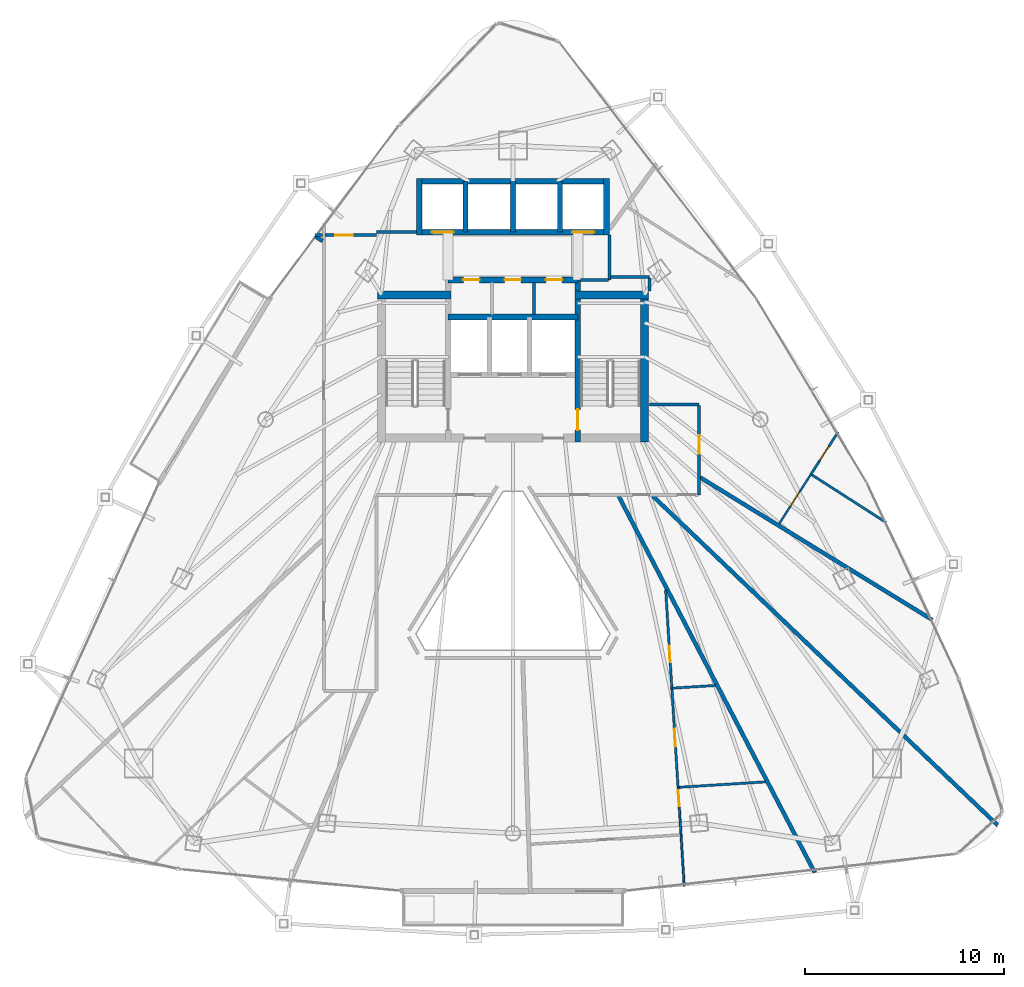
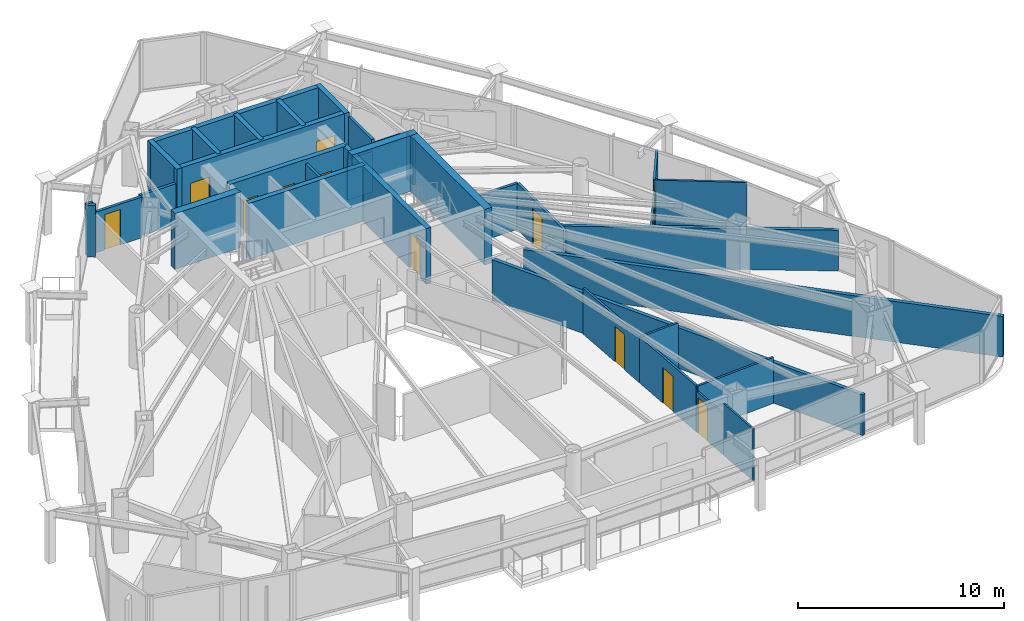
# One storey, part 25 of 29: 36 walls, 13 doors, 13 openings.
"""IFC4 building model written with IfcOpenShell, lengths in metres."""

from ifc_helpers import new_model, si_unit, direction, frame, frame_2d, origin, place, context, subcontext, project, spatial, rectangle, extrude, material, layer, layer_set, type_object, element, fill, save


model = new_model("IFC4")

# Units and contexts
model_context = context("Model", 3, precision=1e-05, world=origin(), true_north=direction((0.0, 1.0)))
body_context = subcontext(model_context, "Body", "Model", "MODEL_VIEW")
ifc_project = project(units=[si_unit("LENGTHUNIT", "METRE"), si_unit("AREAUNIT", "SQUARE_METRE"), si_unit("VOLUMEUNIT", "CUBIC_METRE"), si_unit("PLANEANGLEUNIT", "RADIAN"), si_unit("MASSUNIT", "GRAM", prefix="KILO")], contexts=[model_context])

# Site, building, storey
site_placement = place(None, origin())
site = spatial("IfcSite", under=ifc_project, at=site_placement, CompositionType="ELEMENT")
building_placement = place(site_placement, origin())
building = spatial("IfcBuilding", under=site, at=building_placement, Name="Orvanel Arch Residences", CompositionType="ELEMENT")
storey_placement = place(building_placement, frame((0.0, 0.0, 177.050048828125)))
storey = spatial("IfcBuildingStorey", under=building, at=storey_placement, Name="L50", CompositionType="ELEMENT", Elevation=177.050048828125)

# Walls
ifc_material_1 = material(Name="Concrete N50 (50 MPa)", Category="concrete")
ifc_layer_1 = layer(ifc_material_1, 0.25)
ifc_layer_set_1 = layer_set([ifc_layer_1], Name="Concrete N50 (50 MPa)")
wall_type_1 = type_object("IfcWallType", Name="SW-CORE-250", PredefinedType="SHEAR", material=ifc_layer_set_1)
for number, where, z_axis, x_axis, name in (
    (1, (30.625, 37.050048828125, 0.0), (0.0, 0.0, 1.0), (0.0, 1.0, 0.0), "L50 Passenger Lift Inter-Shaft Wall P35"),
    (2, (33.0, 37.050048828125, 0.0), (0.0, 0.0, 1.0), (0.0, 1.0, 0.0), "L50 Passenger Lift Inter-Shaft Wall P56"),
    (3, (35.375, 37.050048828125, 0.0), (0.0, 0.0, 1.0), (0.0, 1.0, 0.0), "L50 Passenger Lift Inter-Shaft Wall P64"),
):
    element("IfcWall", number, at=place(storey_placement, frame(where, z_axis=z_axis, x_axis=x_axis)), inside=storey, type_object=wall_type_1, Name=name, PredefinedType="SHEAR", context=body_context, shape_type="SweptSolid", body=[
        extrude(rectangle(XDim=2.550048828125, YDim=0.25, at=frame_2d((1.27490234375, 0.0))), origin(), (0.0, 0.0, 1.0), 3.300048828125),
    ])

# Wall, opening, door
ifc_material_2 = material(Name="Concrete S65 (65 MPa)", Category="concrete")
ifc_layer_2 = layer(ifc_material_2, 0.280029296875)
ifc_layer_set_2 = layer_set([ifc_layer_2], Name="Concrete S65 (65 MPa)")
wall_type_2 = type_object("IfcWallType", Name="SW-CORE-280", PredefinedType="SHEAR", material=ifc_layer_set_2)
wall_1_placement = place(storey_placement, frame((36.260009765625, 26.5, 0.0), z_axis=(0.0, 0.0, 1.0), x_axis=(0.0, 1.0, 0.0)))
wall_1 = element("IfcWall", 4, at=wall_1_placement, inside=storey, type_object=wall_type_2, Name="L50 East Inner Core Spine Shear Wall", PredefinedType="SHEAR", context=body_context, shape_type="SweptSolid", body=[
    extrude(rectangle(XDim=8.14990234375, YDim=0.280029296875, at=frame_2d((4.074951171875, 0.0))), origin(), (0.0, 0.0, 1.0), 3.300048828125),
])
opening_1_placement = place(wall_1_placement, frame((0.60009765625, 0.0, 0.0)))
opening_1 = element("IfcOpeningElement", 5, at=opening_1_placement, cuts=wall_1, Name="Opening DF-120", PredefinedType="OPENING", context=body_context, shape_type="SweptSolid", body=[
    extrude(rectangle(XDim=1.050048828125, YDim=2.14990234375, at=frame_2d((0.52490234375, 1.074951171875))), frame((0.0, 0.14990234375, 0.0), z_axis=(0.0, -1.0, 0.0), x_axis=(1.0, 0.0, 0.0)), (0.0, 0.0, 1.0), 0.300048828125),
])
ifc_material_3 = material(Name="Galvanised steel fire-resisting door assembly", Category="steel")
door_type_1 = type_object("IfcDoorType", Name="DR-FD120-1050", OperationType="NOTDEFINED", PredefinedType="DOOR", material=ifc_material_3)
door_1_placement = place(opening_1_placement, origin())
door_1 = element("IfcDoor", 6, at=door_1_placement, inside=storey, type_object=door_type_1, Name="DR-L50-ST2 L50 Stair 2 Fire Door", OperationType="SINGLE_SWING_RIGHT", OverallHeight=2.14990234375, OverallWidth=1.050048828125, PredefinedType="DOOR", context=body_context, shape_type="SweptSolid", body=[
    extrude(rectangle(XDim=1.050048828125, YDim=2.14990234375, at=frame_2d((0.52490234375, 1.074951171875))), frame((0.0, 0.02490234375, 0.0), z_axis=(0.0, -1.0, 0.0), x_axis=(1.0, 0.0, 0.0)), (0.0, 0.0, 1.0), 0.050048828125),
])
fill(opening_1, door_1)

# Wall
wall_2_placement = place(storey_placement, frame((29.739990234375, 32.7900390625, 0.0), z_axis=(0.0, 0.0, 1.0), x_axis=(1.0, 0.0, 0.0)))
element("IfcWall", 7, at=wall_2_placement, inside=storey, type_object=wall_type_2, Name="L50 Emergency Lift Back Core Shear Wall", PredefinedType="SHEAR", context=body_context, shape_type="SweptSolid", body=[
    extrude(rectangle(XDim=6.52001953125, YDim=0.280029296875, at=frame_2d((3.260009765625, 0.0))), origin(), (0.0, 0.0, 1.0), 3.300048828125),
])

# Wall, openings, doors
wall_3_placement = place(storey_placement, frame((29.739990234375, 34.64990234375, 0.0), z_axis=(0.0, 0.0, 1.0), x_axis=(1.0, 0.0, 0.0)))
wall_3 = element("IfcWall", 8, at=wall_3_placement, inside=storey, type_object=wall_type_2, Name="L50 Core Service Band North Shear Wall", PredefinedType="SHEAR", context=body_context, shape_type="SweptSolid", body=[
    extrude(rectangle(XDim=6.52001953125, YDim=0.280029296875, at=frame_2d((3.260009765625, 0.0))), origin(), (0.0, 0.0, 1.0), 3.300048828125),
])
opening_2_placement = place(wall_3_placement, frame((0.764892578125, 0.0, 0.0)))
opening_2 = element("IfcOpeningElement", 9, at=opening_2_placement, cuts=wall_3, Name="Opening DS-082", PredefinedType="OPENING", context=body_context, shape_type="SweptSolid", body=[
    extrude(rectangle(XDim=0.820068359375, YDim=2.10009765625, at=frame_2d((0.41015625, 1.050048828125))), frame((0.0, 0.14990234375, 0.0), z_axis=(0.0, -1.0, 0.0), x_axis=(1.0, 0.0, 0.0)), (0.0, 0.0, 1.0), 0.300048828125),
])
opening_3_placement = place(wall_3_placement, frame((2.840087890625, 0.0, 0.0)))
opening_3 = element("IfcOpeningElement", 10, at=opening_3_placement, cuts=wall_3, Name="Opening DS-082", PredefinedType="OPENING", context=body_context, shape_type="SweptSolid", body=[
    extrude(rectangle(XDim=0.820068359375, YDim=2.10009765625, at=frame_2d((0.41015625, 1.050048828125))), frame((0.0, 0.14990234375, 0.0), z_axis=(0.0, -1.0, 0.0), x_axis=(1.0, 0.0, 0.0)), (0.0, 0.0, 1.0), 0.300048828125),
])
opening_4_placement = place(wall_3_placement, frame((4.9150390625, 0.0, 0.0)))
opening_4 = element("IfcOpeningElement", 11, at=opening_4_placement, cuts=wall_3, Name="Opening DS-082", PredefinedType="OPENING", context=body_context, shape_type="SweptSolid", body=[
    extrude(rectangle(XDim=0.820068359375, YDim=2.10009765625, at=frame_2d((0.41015625, 1.050048828125))), frame((0.0, 0.14990234375, 0.0), z_axis=(0.0, -1.0, 0.0), x_axis=(1.0, 0.0, 0.0)), (0.0, 0.0, 1.0), 0.300048828125),
])
door_type_2 = type_object("IfcDoorType", Name="DR-SVC-820", OperationType="NOTDEFINED", PredefinedType="DOOR", material=ifc_material_3)
door_2_placement = place(opening_2_placement, origin())
door_2 = element("IfcDoor", 12, at=door_2_placement, inside=storey, type_object=door_type_2, Name="DR-L50-CSVC-1 L50 Housekeeping Store Door", OperationType="SINGLE_SWING_LEFT", OverallHeight=2.10009765625, OverallWidth=0.820068359375, PredefinedType="DOOR", context=body_context, shape_type="SweptSolid", body=[
    extrude(rectangle(XDim=0.820068359375, YDim=2.10009765625, at=frame_2d((0.41015625, 1.050048828125))), frame((0.0, 0.02490234375, 0.0), z_axis=(0.0, -1.0, 0.0), x_axis=(1.0, 0.0, 0.0)), (0.0, 0.0, 1.0), 0.050048828125),
])
fill(opening_2, door_2)
door_3_placement = place(opening_3_placement, origin())
door_3 = element("IfcDoor", 13, at=door_3_placement, inside=storey, type_object=door_type_2, Name="DR-L50-CSVC-2 L50 Cleaner's Store Door", OperationType="SINGLE_SWING_LEFT", OverallHeight=2.10009765625, OverallWidth=0.820068359375, PredefinedType="DOOR", context=body_context, shape_type="SweptSolid", body=[
    extrude(rectangle(XDim=0.820068359375, YDim=2.10009765625, at=frame_2d((0.41015625, 1.050048828125))), frame((0.0, 0.02490234375, 0.0), z_axis=(0.0, -1.0, 0.0), x_axis=(1.0, 0.0, 0.0)), (0.0, 0.0, 1.0), 0.050048828125),
])
fill(opening_3, door_3)
door_4_placement = place(opening_4_placement, origin())
door_4 = element("IfcDoor", 14, at=door_4_placement, inside=storey, type_object=door_type_2, Name="DR-L50-CSVC-3 L50 Comms Riser Store Door", OperationType="SINGLE_SWING_LEFT", OverallHeight=2.10009765625, OverallWidth=0.820068359375, PredefinedType="DOOR", context=body_context, shape_type="SweptSolid", body=[
    extrude(rectangle(XDim=0.820068359375, YDim=2.10009765625, at=frame_2d((0.41015625, 1.050048828125))), frame((0.0, 0.02490234375, 0.0), z_axis=(0.0, -1.0, 0.0), x_axis=(1.0, 0.0, 0.0)), (0.0, 0.0, 1.0), 0.050048828125),
])
fill(opening_4, door_4)

wall_4_placement = place(storey_placement, frame((37.840087890625, 37.050048828125, 0.0), z_axis=(0.0, 0.0, 1.0), x_axis=(-1.0, 0.0, 0.0)))
wall_4 = element("IfcWall", 15, at=wall_4_placement, inside=storey, type_object=wall_type_2, Name="L50 Passenger Lift Bank Front Shear Wall", PredefinedType="SHEAR", context=body_context, shape_type="SweptSolid", body=[
    extrude(rectangle(XDim=9.68017578125, YDim=0.280029296875, at=frame_2d((4.840087890625, 0.0))), origin(), (0.0, 0.0, 1.0), 3.300048828125),
])
opening_5_placement = place(wall_4_placement, frame((7.81494140625, 0.0, 0.0)))
opening_5 = element("IfcOpeningElement", 16, at=opening_5_placement, cuts=wall_4, Name="Opening LD-110", PredefinedType="OPENING", context=body_context, shape_type="SweptSolid", body=[
    extrude(rectangle(XDim=1.10009765625, YDim=2.199951171875, at=frame_2d((0.550048828125, 1.10009765625))), frame((0.0, 0.14990234375, 0.0), z_axis=(0.0, -1.0, 0.0), x_axis=(1.0, 0.0, 0.0)), (0.0, 0.0, 1.0), 0.300048828125),
])
opening_6_placement = place(wall_4_placement, frame((0.764892578125, 0.0, 0.0)))
opening_6 = element("IfcOpeningElement", 17, at=opening_6_placement, cuts=wall_4, Name="Opening LD-110", PredefinedType="OPENING", context=body_context, shape_type="SweptSolid", body=[
    extrude(rectangle(XDim=1.10009765625, YDim=2.199951171875, at=frame_2d((0.550048828125, 1.10009765625))), frame((0.0, 0.14990234375, 0.0), z_axis=(0.0, -1.0, 0.0), x_axis=(1.0, 0.0, 0.0)), (0.0, 0.0, 1.0), 0.300048828125),
])
door_type_3 = type_object("IfcDoorType", Name="DR-LFT-1100", OperationType="NOTDEFINED", PredefinedType="DOOR", material=ifc_material_3)
door_5_placement = place(opening_5_placement, origin())
door_5 = element("IfcDoor", 18, at=door_5_placement, inside=storey, type_object=door_type_3, Name="LD-P3-L50 L50 Passenger Lift P3 Sliding Landing Door", OperationType="DOUBLE_DOOR_SLIDING", OverallHeight=2.199951171875, OverallWidth=1.10009765625, PredefinedType="DOOR", context=body_context, shape_type="SweptSolid", body=[
    extrude(rectangle(XDim=1.10009765625, YDim=2.199951171875, at=frame_2d((0.550048828125, 1.10009765625))), frame((0.0, 0.02490234375, 0.0), z_axis=(0.0, -1.0, 0.0), x_axis=(1.0, 0.0, 0.0)), (0.0, 0.0, 1.0), 0.050048828125),
])
fill(opening_5, door_5)
door_6_placement = place(opening_6_placement, origin())
door_6 = element("IfcDoor", 19, at=door_6_placement, inside=storey, type_object=door_type_3, Name="LD-P4-L50 L50 Passenger Lift P4 Sliding Landing Door", OperationType="DOUBLE_DOOR_SLIDING", OverallHeight=2.199951171875, OverallWidth=1.10009765625, PredefinedType="DOOR", context=body_context, shape_type="SweptSolid", body=[
    extrude(rectangle(XDim=1.10009765625, YDim=2.199951171875, at=frame_2d((0.550048828125, 1.10009765625))), frame((0.0, 0.02490234375, 0.0), z_axis=(0.0, -1.0, 0.0), x_axis=(1.0, 0.0, 0.0)), (0.0, 0.0, 1.0), 0.050048828125),
])
fill(opening_6, door_6)

# Walls
wall_5_placement = place(storey_placement, frame((28.159912109375, 39.60009765625, 0.0), z_axis=(0.0, 0.0, 1.0), x_axis=(1.0, 0.0, 0.0)))
element("IfcWall", 20, at=wall_5_placement, inside=storey, type_object=wall_type_2, Name="L50 Passenger Lift Bank North Shear Wall", PredefinedType="SHEAR", context=body_context, shape_type="SweptSolid", body=[
    extrude(rectangle(XDim=9.68017578125, YDim=0.280029296875, at=frame_2d((4.840087890625, 0.0))), origin(), (0.0, 0.0, 1.0), 3.300048828125),
])
for number, where, z_axis, x_axis, name in (
    (21, (28.300048828125, 36.909912109375, 0.0), (0.0, 0.0, 1.0), (0.0, 1.0, 0.0), "L50 Passenger Lift Bank West Shear Wall"),
    (22, (37.699951171875, 36.909912109375, 0.0), (0.0, 0.0, 1.0), (0.0, 1.0, 0.0), "L50 Passenger Lift Bank East Shear Wall"),
):
    element("IfcWall", number, at=place(storey_placement, frame(where, z_axis=z_axis, x_axis=x_axis)), inside=storey, type_object=wall_type_2, Name=name, PredefinedType="SHEAR", context=body_context, shape_type="SweptSolid", body=[
        extrude(rectangle(XDim=2.830078125, YDim=0.280029296875, at=frame_2d((1.4150390625, 0.0))), origin(), (0.0, 0.0, 1.0), 3.300048828125),
    ])
ifc_layer_3 = layer(ifc_material_2, 0.39990234375)
ifc_layer_set_3 = layer_set([ifc_layer_3], Name="Concrete S65 (65 MPa)")
wall_type_3 = type_object("IfcWallType", Name="SW-CORE-400", PredefinedType="SHEAR", material=ifc_layer_set_3)
wall_6_placement = place(storey_placement, frame((26.199951171875, 33.89990234375, 0.0), z_axis=(0.0, 0.0, 1.0), x_axis=(1.0, 0.0, 0.0)))
element("IfcWall", 23, at=wall_6_placement, inside=storey, type_object=wall_type_3, Name="L50 West Stair North Shear Wall", PredefinedType="SHEAR", context=body_context, shape_type="SweptSolid", body=[
    extrude(rectangle(XDim=3.679931640625, YDim=0.39990234375, at=frame_2d((1.83984375, 0.0))), origin(), (0.0, 0.0, 1.0), 3.300048828125),
])
wall_7_placement = place(storey_placement, frame((39.60009765625, 26.5, 0.0), z_axis=(0.0, 0.0, 1.0), x_axis=(0.0, 1.0, 0.0)))
element("IfcWall", 24, at=wall_7_placement, inside=storey, type_object=wall_type_3, Name="L50 East Stair Shear Wall", PredefinedType="SHEAR", context=body_context, shape_type="SweptSolid", body=[
    extrude(rectangle(XDim=7.60009765625, YDim=0.39990234375, at=frame_2d((3.800048828125, 0.0))), origin(), (0.0, 0.0, 1.0), 3.300048828125),
])
wall_8_placement = place(storey_placement, frame((36.1201171875, 33.89990234375, 0.0), z_axis=(0.0, 0.0, 1.0), x_axis=(1.0, 0.0, 0.0)))
element("IfcWall", 25, at=wall_8_placement, inside=storey, type_object=wall_type_3, Name="L50 East Stair North Shear Wall", PredefinedType="SHEAR", context=body_context, shape_type="SweptSolid", body=[
    extrude(rectangle(XDim=3.679931640625, YDim=0.39990234375, at=frame_2d((1.83984375, 0.0))), origin(), (0.0, 0.0, 1.0), 3.300048828125),
])
ifc_material_4 = material(Name="Fire-rated plasterboard lined steel stud partition", Category="steel")
ifc_layer_4 = layer(ifc_material_4, 0.14990234375)
ifc_layer_set_4 = layer_set([ifc_layer_4], Name="Fire-rated plasterboard lined steel stud partition")
wall_type_4 = type_object("IfcWallType", Name="W-COR-150", PredefinedType="PARTITIONING", material=ifc_layer_set_4)
wall_9_placement = place(storey_placement, frame((37.85009765625, 34.64990234375, 0.0), z_axis=(0.0, 0.0, 1.0), x_axis=(0.0, 1.0, 0.0)))
element("IfcWall", 26, at=wall_9_placement, inside=storey, type_object=wall_type_4, Name="L50 Passenger Lift Lobby East Closure Wall", PredefinedType="PARTITIONING", context=body_context, shape_type="SweptSolid", body=[
    extrude(rectangle(XDim=2.260009765625, YDim=0.14990234375, at=frame_2d((1.1298828125, 0.0))), origin(), (0.0, 0.0, 1.0), 3.06005859375),
])
wall_10_placement = place(storey_placement, frame((36.385009765625, 34.64990234375, 0.0), z_axis=(0.0, 0.0, 1.0), x_axis=(1.0, 0.0, 0.0)))
element("IfcWall", 27, at=wall_10_placement, inside=storey, type_object=wall_type_4, Name="L50 Passenger Lift Lobby South-East Wall", PredefinedType="PARTITIONING", context=body_context, shape_type="SweptSolid", body=[
    extrude(rectangle(XDim=1.405029296875, YDim=0.14990234375, at=frame_2d((0.70263671875, 0.0))), origin(), (0.0, 0.0, 1.0), 2.425048828125),
])
wall_11_placement = place(storey_placement, frame((23.06298828125, 36.89990234375, 0.0), z_axis=(0.0, 0.0, 1.0), x_axis=(1.0, 0.0, 0.0)))
element("IfcWall", 28, at=wall_11_placement, inside=storey, type_object=wall_type_4, Name="L50 Corridor Fire-Rated Partition", PredefinedType="PARTITIONING", context=body_context, shape_type="SweptSolid", body=[
    extrude(rectangle(XDim=0.376953125, YDim=0.14990234375, at=frame_2d((0.1884765625, 0.0))), origin(), (0.0, 0.0, 1.0), 3.06005859375),
])

# Wall, opening, door
wall_12_placement = place(storey_placement, frame((23.56005859375, 36.89990234375, 0.0), z_axis=(0.0, 0.0, 1.0), x_axis=(1.0, 0.0, 0.0)))
wall_12 = element("IfcWall", 29, at=wall_12_placement, inside=storey, type_object=wall_type_4, Name="L50 Corridor Fire-Rated Partition", PredefinedType="PARTITIONING", context=body_context, shape_type="SweptSolid", body=[
    extrude(rectangle(XDim=2.58984375, YDim=0.14990234375, at=frame_2d((1.294921875, 0.0))), origin(), (0.0, 0.0, 1.0), 2.412841796875),
])
opening_7_placement = place(wall_12_placement, frame((0.514892578125, 0.0, 0.0)))
opening_7 = element("IfcOpeningElement", 30, at=opening_7_placement, cuts=wall_12, Name="Opening DI-088", PredefinedType="OPENING", context=body_context, shape_type="SweptSolid", body=[
    extrude(rectangle(XDim=0.8798828125, YDim=2.10009765625, at=frame_2d((0.43994140625, 1.050048828125))), frame((0.0, 0.0849609375, 0.0), z_axis=(0.0, -1.0, 0.0), x_axis=(1.0, 0.0, 0.0)), (0.0, 0.0, 1.0), 0.169921875),
])
ifc_material_5 = material(Name="Solid-core European oak veneer fire door leaf", Category="wood")
door_type_4 = type_object("IfcDoorType", Name="DR-INT-880", OperationType="NOTDEFINED", PredefinedType="DOOR", material=ifc_material_5)
door_7_placement = place(opening_7_placement, origin())
door_7 = element("IfcDoor", 31, at=door_7_placement, inside=storey, type_object=door_type_4, Name="DR-L50-SHRD-FB7 L50 Co-Working Study Office G Door", OperationType="SINGLE_SWING_LEFT", OverallHeight=2.10009765625, OverallWidth=0.8798828125, PredefinedType="DOOR", context=body_context, shape_type="SweptSolid", body=[
    extrude(rectangle(XDim=0.8798828125, YDim=2.10009765625, at=frame_2d((0.43994140625, 1.050048828125))), frame((0.0, 0.02490234375, 0.0), z_axis=(0.0, -1.0, 0.0), x_axis=(1.0, 0.0, 0.0)), (0.0, 0.0, 1.0), 0.050048828125),
])
fill(opening_7, door_7)

# Wall
wall_13_placement = place(storey_placement, frame((39.85009765625, 28.39990234375, 0.0), z_axis=(0.0, 0.0, 1.0), x_axis=(1.0, 0.0, 0.0)))
element("IfcWall", 32, at=wall_13_placement, inside=storey, type_object=wall_type_4, Name="L50 Corridor Fire-Rated Partition", PredefinedType="PARTITIONING", context=body_context, shape_type="SweptSolid", body=[
    extrude(rectangle(XDim=2.5, YDim=0.14990234375, at=frame_2d((1.25, 0.0))), origin(), (0.0, 0.0, 1.0), 2.720947265625),
])

# Wall, opening, door
wall_14_placement = place(storey_placement, frame((42.35009765625, 28.340087890625, 0.0), z_axis=(0.0, 0.0, 1.0), x_axis=(0.0, -1.0, 0.0)))
wall_14 = element("IfcWall", 33, at=wall_14_placement, inside=storey, type_object=wall_type_4, Name="L50 Corridor Fire-Rated Partition", PredefinedType="PARTITIONING", context=body_context, shape_type="SweptSolid", body=[
    extrude(rectangle(XDim=4.489990234375, YDim=0.14990234375, at=frame_2d((2.2451171875, 0.0))), origin(), (0.0, 0.0, 1.0), 2.720947265625),
])
opening_8_placement = place(wall_14_placement, frame((1.4970703125, 0.0, 0.0)))
opening_8 = element("IfcOpeningElement", 34, at=opening_8_placement, cuts=wall_14, Name="Opening DA-092", PredefinedType="OPENING", context=body_context, shape_type="SweptSolid", body=[
    extrude(rectangle(XDim=0.919921875, YDim=2.14990234375, at=frame_2d((0.4599609375, 1.074951171875))), frame((0.0, 0.0849609375, 0.0), z_axis=(0.0, -1.0, 0.0), x_axis=(1.0, 0.0, 0.0)), (0.0, 0.0, 1.0), 0.169921875),
])
door_type_5 = type_object("IfcDoorType", Name="DR-APT-920", OperationType="NOTDEFINED", PredefinedType="DOOR", material=ifc_material_5)
door_8_placement = place(opening_8_placement, origin())
door_8 = element("IfcDoor", 35, at=door_8_placement, inside=storey, type_object=door_type_5, Name="DR-L50-D-ENT L50 Flat D Entrance Door", OperationType="SINGLE_SWING_LEFT", OverallHeight=2.14990234375, OverallWidth=0.919921875, PredefinedType="DOOR", context=body_context, shape_type="SweptSolid", body=[
    extrude(rectangle(XDim=0.919921875, YDim=2.14990234375, at=frame_2d((0.4599609375, 1.074951171875))), frame((0.0, 0.02490234375, 0.0), z_axis=(0.0, -1.0, 0.0), x_axis=(1.0, 0.0, 0.0)), (0.0, 0.0, 1.0), 0.050048828125),
])
fill(opening_8, door_8)

# Walls
wall_15_placement = place(storey_placement, frame((26.14990234375, 37.050048828125, 0.0), z_axis=(0.0, 0.0, 1.0), x_axis=(1.0, 0.0, 0.0)))
element("IfcWall", 36, at=wall_15_placement, inside=storey, type_object=wall_type_4, Name="L50 Core Perimeter Partition", PredefinedType="PARTITIONING", context=body_context, shape_type="SweptSolid", body=[
    extrude(rectangle(XDim=2.0, YDim=0.14990234375, at=frame_2d((1.0, 0.0))), origin(), (0.0, 0.0, 1.0), 2.412841796875),
])
wall_16_placement = place(storey_placement, frame((37.909912109375, 34.800048828125, 0.0), z_axis=(0.0, 0.0, 1.0), x_axis=(1.0, 0.0, 0.0)))
element("IfcWall", 37, at=wall_16_placement, inside=storey, type_object=wall_type_4, Name="L50 Core Perimeter Partition", PredefinedType="PARTITIONING", context=body_context, shape_type="SweptSolid", body=[
    extrude(rectangle(XDim=1.940185546875, YDim=0.14990234375, at=frame_2d((0.97021484375, 0.0))), origin(), (0.0, 0.0, 1.0), 2.720947265625),
])
wall_17_placement = place(storey_placement, frame((39.85009765625, 34.739990234375, 0.0), z_axis=(0.0, 0.0, 1.0), x_axis=(0.0, -1.0, 0.0)))
element("IfcWall", 38, at=wall_17_placement, inside=storey, type_object=wall_type_4, Name="L50 Core Perimeter Partition", PredefinedType="PARTITIONING", context=body_context, shape_type="SweptSolid", body=[
    extrude(rectangle(XDim=0.639892578125, YDim=0.14990234375, at=frame_2d((0.31982421875, 0.0))), origin(), (0.0, 0.0, 1.0), 2.720947265625),
])
ifc_layer_5 = layer(ifc_material_4, 0.199951171875)
ifc_layer_set_5 = layer_set([ifc_layer_5], Name="Fire-rated plasterboard lined steel stud partition")
wall_type_5 = type_object("IfcWallType", Name="W-DEM-200", PredefinedType="PARTITIONING", material=ifc_layer_set_5)
wall_18_placement = place(storey_placement, frame((38.31103515625, 23.7900390625, 0.0), z_axis=(0.0, 0.0, 1.0), x_axis=(0.461923729454, -0.886919651472, 0.0)))
element("IfcWall", 39, at=wall_18_placement, inside=storey, type_object=wall_type_5, Name="L50 Inter-Tenancy Acoustic Demising Wall", PredefinedType="PARTITIONING", context=body_context, shape_type="SweptSolid", body=[
    extrude(rectangle(XDim=21.334716796875, YDim=0.199951171875, at=frame_2d((10.66748046875, 0.0))), origin(), (0.0, 0.0, 1.0), 2.412841796875),
])
wall_19_placement = place(storey_placement, frame((23.069091796875, 36.840087890625, 0.0), z_axis=(0.0, 0.0, 1.0), x_axis=(0.842563414195, -0.538597152852, 0.0)))
element("IfcWall", 40, at=wall_19_placement, inside=storey, type_object=wall_type_5, Name="L50 Inter-Tenancy Acoustic Demising Wall", PredefinedType="PARTITIONING", context=body_context, shape_type="SweptSolid", body=[
    extrude(rectangle(XDim=0.440185546875, YDim=0.199951171875, at=frame_2d((0.22021484375, 0.0))), origin(), (0.0, 0.0, 1.0), 3.06005859375),
])
wall_20_placement = place(storey_placement, frame((54.0791015625, 17.56689453125, 0.0), z_axis=(0.0, 0.0, 1.0), x_axis=(-0.852338446262, 0.5229906051, 0.0)))
element("IfcWall", 41, at=wall_20_placement, inside=storey, type_object=wall_type_5, Name="L50 Inter-Tenancy Acoustic Demising Wall", PredefinedType="PARTITIONING", context=body_context, shape_type="SweptSolid", body=[
    extrude(rectangle(XDim=13.690673828125, YDim=0.199951171875, at=frame_2d((6.84521484375, 0.0))), origin(), (0.0, 0.0, 1.0), 2.412841796875),
])
wall_21_placement = place(storey_placement, frame((40.030029296875, 23.7900390625, 0.0), z_axis=(0.0, 0.0, 1.0), x_axis=(0.723360866179, -0.690470171174, 0.0)))
element("IfcWall", 42, at=wall_21_placement, inside=storey, type_object=wall_type_5, Name="L50 Inter-Tenancy Acoustic Demising Wall", PredefinedType="PARTITIONING", context=body_context, shape_type="SweptSolid", body=[
    extrude(rectangle(XDim=23.953369140625, YDim=0.199951171875, at=frame_2d((11.9765625, 0.0))), origin(), (0.0, 0.0, 1.0), 2.412841796875),
])

# Wall, opening, door
ifc_material_6 = material(Name="Acoustic plasterboard lined twin-stud partition", Category="gypsum")
ifc_layer_6 = layer(ifc_material_6, 0.10009765625)
ifc_layer_set_6 = layer_set([ifc_layer_6], Name="Acoustic plasterboard lined twin-stud partition")
wall_type_6 = type_object("IfcWallType", Name="W-INT-100", PredefinedType="PARTITIONING", material=ifc_layer_set_6)
wall_22_placement = place(storey_placement, frame((41.2958984375, 9.156982421875, 0.0), z_axis=(0.0, 0.0, 1.0), x_axis=(0.062778653683, -0.998027474893, 0.0)))
wall_22 = element("IfcWall", 43, at=wall_22_placement, inside=storey, type_object=wall_type_6, Name="L50 Studio A Internal Partition", PredefinedType="PARTITIONING", context=body_context, shape_type="SweptSolid", body=[
    extrude(rectangle(XDim=2.3916015625, YDim=0.10009765625, at=frame_2d((1.19580078125, 0.0))), origin(), (0.0, 0.0, 1.0), 2.412841796875),
])
opening_9_placement = place(wall_22_placement, frame((0.139892578125, 0.0, 0.0)))
opening_9 = element("IfcOpeningElement", 44, at=opening_9_placement, cuts=wall_22, Name="Opening DW-082", PredefinedType="OPENING", context=body_context, shape_type="SweptSolid", body=[
    extrude(rectangle(XDim=0.820068359375, YDim=2.10009765625, at=frame_2d((0.41015625, 1.050048828125))), frame((0.0, 0.06005859375, 0.0), z_axis=(0.0, -1.0, 0.0), x_axis=(1.0, 0.0, 0.0)), (0.0, 0.0, 1.0), 0.1201171875),
])
door_type_6 = type_object("IfcDoorType", Name="DR-WET-820", OperationType="NOTDEFINED", PredefinedType="DOOR", material=ifc_material_5)
door_9_placement = place(opening_9_placement, origin())
door_9 = element("IfcDoor", 45, at=door_9_placement, inside=storey, type_object=door_type_6, Name="DR-L50-A-LAU1 L50 Studio A Apartment Laundry Room 1 Door", OperationType="SINGLE_SWING_LEFT", OverallHeight=2.10009765625, OverallWidth=0.820068359375, PredefinedType="DOOR", context=body_context, shape_type="SweptSolid", body=[
    extrude(rectangle(XDim=0.820068359375, YDim=2.10009765625, at=frame_2d((0.41015625, 1.050048828125))), frame((0.0, 0.02490234375, 0.0), z_axis=(0.0, -1.0, 0.0), x_axis=(1.0, 0.0, 0.0)), (0.0, 0.0, 1.0), 0.050048828125),
])
fill(opening_9, door_9)

# Wall
wall_23_placement = place(storey_placement, frame((41.60693359375, 4.197998046875, 0.0), z_axis=(0.0, 0.0, 1.0), x_axis=(-0.062431368009, 0.99804925945, 0.0)))
element("IfcWall", 46, at=wall_23_placement, inside=storey, type_object=wall_type_6, Name="L50 Studio A Internal Partition", PredefinedType="PARTITIONING", context=body_context, shape_type="SweptSolid", body=[
    extrude(rectangle(XDim=2.5771484375, YDim=0.10009765625, at=frame_2d((1.28857421875, 0.0))), origin(), (0.0, 0.0, 1.0), 3.06005859375),
])

# Wall, opening, door
wall_24_placement = place(storey_placement, frame((47.972900390625, 24.887939453125, 0.0), z_axis=(0.0, 0.0, 1.0), x_axis=(-0.54033686579, -0.841448793135, 0.0)))
wall_24 = element("IfcWall", 47, at=wall_24_placement, inside=storey, type_object=wall_type_6, Name="L50 Flat D Internal Partition", PredefinedType="PARTITIONING", context=body_context, shape_type="SweptSolid", body=[
    extrude(rectangle(XDim=2.962646484375, YDim=0.10009765625, at=frame_2d((1.4814453125, 0.0))), origin(), (0.0, 0.0, 1.0), 2.412841796875),
])
opening_10_placement = place(wall_24_placement, frame((1.041015625, 0.0, 0.0)))
opening_10 = element("IfcOpeningElement", 48, at=opening_10_placement, cuts=wall_24, Name="Opening DI-088", PredefinedType="OPENING", context=body_context, shape_type="SweptSolid", body=[
    extrude(rectangle(XDim=0.8798828125, YDim=2.10009765625, at=frame_2d((0.43994140625, 1.050048828125))), frame((0.0, 0.06005859375, 0.0), z_axis=(0.0, -1.0, 0.0), x_axis=(1.0, 0.0, 0.0)), (0.0, 0.0, 1.0), 0.1201171875),
])
door_10_placement = place(opening_10_placement, origin())
door_10 = element("IfcDoor", 49, at=door_10_placement, inside=storey, type_object=door_type_4, Name="DR-L50-D-BED1 L50 Flat D Bedroom 1 Door", OperationType="SINGLE_SWING_LEFT", OverallHeight=2.10009765625, OverallWidth=0.8798828125, PredefinedType="DOOR", context=body_context, shape_type="SweptSolid", body=[
    extrude(rectangle(XDim=0.8798828125, YDim=2.10009765625, at=frame_2d((0.43994140625, 1.050048828125))), frame((0.0, 0.02490234375, 0.0), z_axis=(0.0, -1.0, 0.0), x_axis=(1.0, 0.0, 0.0)), (0.0, 0.0, 1.0), 0.050048828125),
])
fill(opening_10, door_10)

# Wall
ifc_layer_7 = layer(ifc_material_4, 0.14990234375)
ifc_layer_set_7 = layer_set([ifc_layer_7], Name="Fire-rated plasterboard lined steel stud partition")
wall_type_7 = type_object("IfcWallType", Name="W-ST-150", PredefinedType="PARTITIONING", material=ifc_layer_set_7)
wall_25_placement = place(storey_placement, frame((34.050048828125, 32.9150390625, 0.0), z_axis=(0.0, 0.0, 1.0), x_axis=(0.0, 1.0, 0.0)))
element("IfcWall", 50, at=wall_25_placement, inside=storey, type_object=wall_type_7, Name="L50 Core Service Partition 2", PredefinedType="PARTITIONING", context=body_context, shape_type="SweptSolid", body=[
    extrude(rectangle(XDim=1.60986328125, YDim=0.14990234375, at=frame_2d((0.804931640625, 0.0))), origin(), (0.0, 0.0, 1.0), 3.06005859375),
])

# Wall, opening, door
ifc_layer_8 = layer(ifc_material_6, 0.1201171875)
ifc_layer_set_8 = layer_set([ifc_layer_8], Name="Acoustic plasterboard lined twin-stud partition")
wall_type_8 = type_object("IfcWallType", Name="W-WET-120", PredefinedType="PARTITIONING", material=ifc_layer_set_8)
wall_26_placement = place(storey_placement, frame((40.676025390625, 19.06591796875, 0.0), z_axis=(0.0, 0.0, 1.0), x_axis=(0.062350581346, -0.998054309647, 0.0)))
wall_26 = element("IfcWall", 51, at=wall_26_placement, inside=storey, type_object=wall_type_8, Name="L50 Studio A Bathroom Partition", PredefinedType="PARTITIONING", context=body_context, shape_type="SweptSolid", body=[
    extrude(rectangle(XDim=4.9375, YDim=0.1201171875, at=frame_2d((2.46875, 0.0))), origin(), (0.0, 0.0, 1.0), 2.720947265625),
])
opening_11_placement = place(wall_26_placement, frame((2.803955078125, 0.0, 0.0)))
opening_11 = element("IfcOpeningElement", 52, at=opening_11_placement, cuts=wall_26, Name="Opening DW-082", PredefinedType="OPENING", context=body_context, shape_type="SweptSolid", body=[
    extrude(rectangle(XDim=0.820068359375, YDim=2.10009765625, at=frame_2d((0.41015625, 1.050048828125))), frame((0.0, 0.070068359375, 0.0), z_axis=(0.0, -1.0, 0.0), x_axis=(1.0, 0.0, 0.0)), (0.0, 0.0, 1.0), 0.14013671875),
])
door_11_placement = place(opening_11_placement, origin())
door_11 = element("IfcDoor", 53, at=door_11_placement, inside=storey, type_object=door_type_6, Name="DR-L50-A-BATH L50 Studio A Bathroom Door", OperationType="SINGLE_SWING_RIGHT", OverallHeight=2.10009765625, OverallWidth=0.820068359375, PredefinedType="DOOR", context=body_context, shape_type="SweptSolid", body=[
    extrude(rectangle(XDim=0.820068359375, YDim=2.10009765625, at=frame_2d((0.41015625, 1.050048828125))), frame((0.0, 0.02490234375, 0.0), z_axis=(0.0, -1.0, 0.0), x_axis=(1.0, 0.0, 0.0)), (0.0, 0.0, 1.0), 0.050048828125),
])
fill(opening_11, door_11)

wall_27_placement = place(storey_placement, frame((40.98388671875, 14.137939453125, 0.0), z_axis=(0.0, 0.0, 1.0), x_axis=(0.062518380192, -0.998043812735, 0.0)))
wall_27 = element("IfcWall", 54, at=wall_27_placement, inside=storey, type_object=wall_type_8, Name="L50 Studio A Internal Partition", PredefinedType="PARTITIONING", context=body_context, shape_type="SweptSolid", body=[
    extrude(rectangle(XDim=4.99072265625, YDim=0.1201171875, at=frame_2d((2.495361328125, 0.0))), origin(), (0.0, 0.0, 1.0), 2.720947265625),
])
opening_12_placement = place(wall_27_placement, frame((2.054931640625, 0.0, 0.0)))
opening_12 = element("IfcOpeningElement", 55, at=opening_12_placement, cuts=wall_27, Name="Opening DI-088", PredefinedType="OPENING", context=body_context, shape_type="SweptSolid", body=[
    extrude(rectangle(XDim=0.8798828125, YDim=2.10009765625, at=frame_2d((0.43994140625, 1.050048828125))), frame((0.0, 0.070068359375, 0.0), z_axis=(0.0, -1.0, 0.0), x_axis=(1.0, 0.0, 0.0)), (0.0, 0.0, 1.0), 0.14013671875),
])
door_12_placement = place(opening_12_placement, origin())
door_12 = element("IfcDoor", 56, at=door_12_placement, inside=storey, type_object=door_type_4, Name="DR-L50-A-KIT L50 Studio A Kitchenette Door", OperationType="SINGLE_SWING_LEFT", OverallHeight=2.10009765625, OverallWidth=0.8798828125, PredefinedType="DOOR", context=body_context, shape_type="SweptSolid", body=[
    extrude(rectangle(XDim=0.8798828125, YDim=2.10009765625, at=frame_2d((0.43994140625, 1.050048828125))), frame((0.0, 0.02490234375, 0.0), z_axis=(0.0, -1.0, 0.0), x_axis=(1.0, 0.0, 0.0)), (0.0, 0.0, 1.0), 0.050048828125),
])
fill(opening_12, door_12)

# Walls
wall_28_placement = place(storey_placement, frame((43.1708984375, 14.27490234375, 0.0), z_axis=(0.0, 0.0, 1.0), x_axis=(-0.998044767373, -0.062503138479, 0.0)))
element("IfcWall", 57, at=wall_28_placement, inside=storey, type_object=wall_type_8, Name="L50 Studio A Bathroom Partition", PredefinedType="PARTITIONING", context=body_context, shape_type="SweptSolid", body=[
    extrude(rectangle(XDim=2.19140625, YDim=0.1201171875, at=frame_2d((1.095703125, 0.0))), origin(), (0.0, 0.0, 1.0), 2.720947265625),
])
wall_29_placement = place(storey_placement, frame((45.693115234375, 9.431884765625, 0.0), z_axis=(0.0, 0.0, 1.0), x_axis=(-0.998051500251, -0.062395535466, 0.0)))
element("IfcWall", 58, at=wall_29_placement, inside=storey, type_object=wall_type_8, Name="L50 Studio A Internal Partition", PredefinedType="PARTITIONING", context=body_context, shape_type="SweptSolid", body=[
    extrude(rectangle(XDim=4.40576171875, YDim=0.1201171875, at=frame_2d((2.202880859375, 0.0))), origin(), (0.0, 0.0, 1.0), 2.720947265625),
])

# Wall, opening, door
wall_30_placement = place(storey_placement, frame((49.3349609375, 27.008056640625, 0.0), z_axis=(0.0, 0.0, 1.0), x_axis=(-0.540512736599, -0.841335831624, 0.0)))
wall_30 = element("IfcWall", 59, at=wall_30_placement, inside=storey, type_object=wall_type_8, Name="L50 Flat D Bathroom Partition", PredefinedType="PARTITIONING", context=body_context, shape_type="SweptSolid", body=[
    extrude(rectangle(XDim=2.52001953125, YDim=0.1201171875, at=frame_2d((1.260009765625, 0.0))), origin(), (0.0, 0.0, 1.0), 3.06005859375),
])
opening_13_placement = place(wall_30_placement, frame((0.85009765625, 0.0, 0.0)))
opening_13 = element("IfcOpeningElement", 60, at=opening_13_placement, cuts=wall_30, Name="Opening DW-082", PredefinedType="OPENING", context=body_context, shape_type="SweptSolid", body=[
    extrude(rectangle(XDim=0.820068359375, YDim=2.10009765625, at=frame_2d((0.41015625, 1.050048828125))), frame((0.0, 0.070068359375, 0.0), z_axis=(0.0, -1.0, 0.0), x_axis=(1.0, 0.0, 0.0)), (0.0, 0.0, 1.0), 0.14013671875),
])
door_13_placement = place(opening_13_placement, origin())
door_13 = element("IfcDoor", 61, at=door_13_placement, inside=storey, type_object=door_type_6, Name="DR-L50-D-BATH L50 Flat D Bathroom Door", OperationType="SINGLE_SWING_RIGHT", OverallHeight=2.10009765625, OverallWidth=0.820068359375, PredefinedType="DOOR", context=body_context, shape_type="SweptSolid", body=[
    extrude(rectangle(XDim=0.820068359375, YDim=2.10009765625, at=frame_2d((0.41015625, 1.050048828125))), frame((0.0, 0.02490234375, 0.0), z_axis=(0.0, -1.0, 0.0), x_axis=(1.0, 0.0, 0.0)), (0.0, 0.0, 1.0), 0.050048828125),
])
fill(opening_13, door_13)

# Wall
wall_31_placement = place(storey_placement, frame((51.764892578125, 22.452880859375, 0.0), z_axis=(0.0, 0.0, 1.0), x_axis=(-0.841445922542, 0.540341336044, 0.0)))
element("IfcWall", 62, at=wall_31_placement, inside=storey, type_object=wall_type_8, Name="L50 Flat D Bathroom Partition", PredefinedType="PARTITIONING", context=body_context, shape_type="SweptSolid", body=[
    extrude(rectangle(XDim=4.506591796875, YDim=0.1201171875, at=frame_2d((2.25341796875, 0.0))), origin(), (0.0, 0.0, 1.0), 3.06005859375),
])

save(model, "model.ifc")
